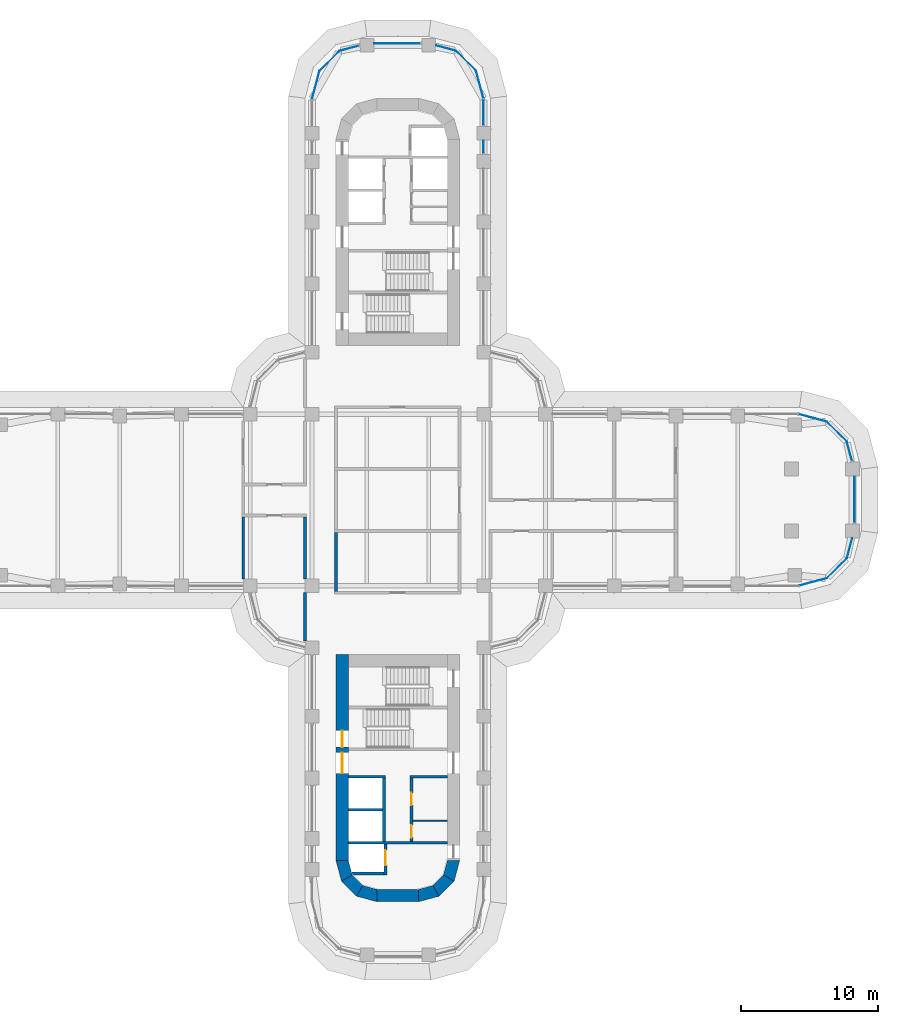
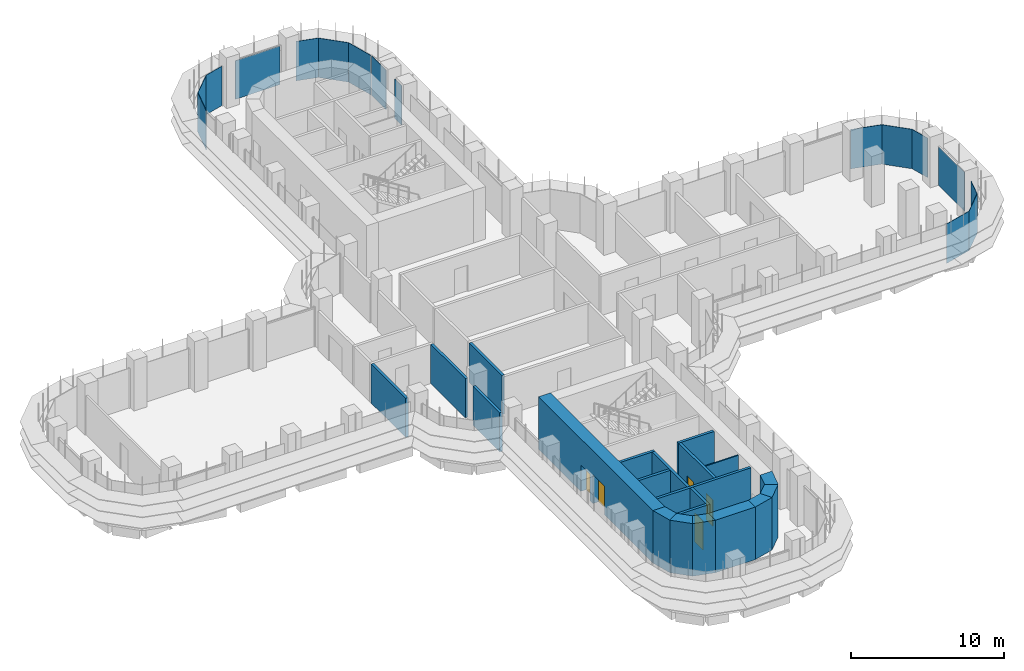
# One storey, part 16 of 23: 21 walls, 16 plates, 5 doors, 5 openings, 15 elements without a shape of their own.
"""IFC4 building model written with IfcOpenShell, lengths in metres."""

from ifc_helpers import new_model, si_unit, direction, frame, frame_2d, origin, place, context, subcontext, project, spatial, polyline, rectangle, outline, extrude, source, transform, mapped, material, layer, layer_set, type_object, element, fill, aggregate, save


model = new_model("IFC4")

# Units and contexts
model_context = context("Model", 3, precision=1e-05, world=origin(), true_north=direction((0.0, 1.0)))
body_context = subcontext(model_context, "Body", "Model", "MODEL_VIEW")
ifc_project = project(units=[si_unit("LENGTHUNIT", "METRE"), si_unit("AREAUNIT", "SQUARE_METRE"), si_unit("VOLUMEUNIT", "CUBIC_METRE"), si_unit("PLANEANGLEUNIT", "RADIAN"), si_unit("MASSUNIT", "GRAM", prefix="KILO")], contexts=[model_context])

# Site, building, storey
site_placement = place(None, origin())
site = spatial("IfcSite", under=ifc_project, at=site_placement, CompositionType="ELEMENT")
building_placement = place(site_placement, origin())
building = spatial("IfcBuilding", under=site, at=building_placement, Name="Zarbagh Exchange Tower", CompositionType="ELEMENT")
storey_placement = place(building_placement, frame((0.0, 0.0, 73.199951171875)))
storey = spatial("IfcBuildingStorey", under=building, at=storey_placement, Name="L16", CompositionType="ELEMENT", Elevation=73.199951171875)

# Curtain wall, plate
ifc_material_1 = material(Name="Anodised aluminium frame and glazing", Category="aluminium")
curtain_wall_type = type_object("IfcCurtainWallType", Name="CWA Ribbon glazing, lower zones", PredefinedType="NOTDEFINED", material=ifc_material_1)
curtain_wall_1_placement = place(storey_placement, origin())
curtain_wall_1 = element("IfcCurtainWall", 1, at=curtain_wall_1_placement, inside=storey, type_object=curtain_wall_type, Name="CWA13 curtain wall", PredefinedType="NOTDEFINED")
ifc_material_2 = material(Name="Low-e double glazed unit, 6+12+6 mm")
ifc_layer_1 = layer(ifc_material_2, 0.028076171875)
ifc_layer_set_1 = layer_set([ifc_layer_1], Name="PAA Glazing panel, Low-e double glazed unit, 6+12+6 mm")
plate_type = type_object("IfcPlateType", Name="PAA Glazing panel, Low-e double glazed unit, 6+12+6 mm", PredefinedType="CURTAIN_PANEL", material=ifc_layer_set_1)
shared_shape_1 = source(origin(), body_context, "Body", "SweptSolid", [
    extrude(outline(polyline([(0.0, -0.013916015625), (1.4423828125, -0.013916015625), (1.4423828125, 0.013916015625), (0.0, 0.013916015625), (0.0, -0.013916015625)])), origin(), (0.0, 0.0, 1.0), 3.14990234375),
])
placement = place(storey_placement, origin())
plate_1 = element("IfcPlate", 2, at=placement, type_object=plate_type, Name="CWA13 glazing panel 1.1", PredefinedType="CURTAIN_PANEL", context=body_context, shape_type="MappedRepresentation", body=[
    mapped(shared_shape_1, transform((33.072021484375, 2.847900390625, 0.0), x_axis=(-0.258824779902, 0.965924289636, 0.0), y_axis=(-0.965924289636, -0.258824779902, 0.0), z_axis=(0.0, 0.0, 1.0))),
])
aggregate(curtain_wall_1, [plate_1])

curtain_wall_2_placement = place(storey_placement, origin())
curtain_wall_2 = element("IfcCurtainWall", 3, at=curtain_wall_2_placement, inside=storey, type_object=curtain_wall_type, Name="CWA25 curtain wall", PredefinedType="NOTDEFINED")
plate_2 = element("IfcPlate", 4, at=placement, type_object=plate_type, Name="CWA25 glazing panel 1.1", PredefinedType="CURTAIN_PANEL", context=body_context, shape_type="MappedRepresentation", body=[
    mapped(shared_shape_1, transform((-2.847900390625, 33.072021484375, 0.0), x_axis=(-0.965924289636, -0.258824779902, 0.0), y_axis=(0.258824779902, -0.965924289636, 0.0), z_axis=(0.0, 0.0, 1.0))),
])
aggregate(curtain_wall_2, [plate_2])

curtain_wall_3_placement = place(storey_placement, origin())
curtain_wall_3 = element("IfcCurtainWall", 5, at=curtain_wall_3_placement, inside=storey, type_object=curtain_wall_type, Name="CWA10 curtain wall", PredefinedType="NOTDEFINED")
shared_shape_2 = source(origin(), body_context, "Body", "SweptSolid", [
    extrude(outline(polyline([(0.0, -0.013916015625), (2.061279296875, -0.013916015625), (2.061279296875, 0.013916015625), (0.0, 0.013916015625), (0.0, -0.013916015625)])), origin(), (0.0, 0.0, 1.0), 3.14990234375),
])
plate_3 = element("IfcPlate", 6, at=placement, type_object=plate_type, Name="CWA10 glazing panel 1.1", PredefinedType="CURTAIN_PANEL", context=body_context, shape_type="MappedRepresentation", body=[
    mapped(shared_shape_2, transform((31.2412109375, -5.69873046875, 0.0), x_axis=(0.707106781187, 0.707106781187, 0.0), y_axis=(-0.707106781187, 0.707106781187, 0.0), z_axis=(0.0, 0.0, 1.0))),
])
aggregate(curtain_wall_3, [plate_3])

curtain_wall_4_placement = place(storey_placement, origin())
curtain_wall_4 = element("IfcCurtainWall", 7, at=curtain_wall_4_placement, inside=storey, type_object=curtain_wall_type, Name="CWA14 curtain wall", PredefinedType="NOTDEFINED")
plate_4 = element("IfcPlate", 8, at=placement, type_object=plate_type, Name="CWA14 glazing panel 1.1", PredefinedType="CURTAIN_PANEL", context=body_context, shape_type="MappedRepresentation", body=[
    mapped(shared_shape_2, transform((32.69873046875, 4.2412109375, 0.0), x_axis=(-0.707106781187, 0.707106781187, 0.0), y_axis=(-0.707106781187, -0.707106781187, 0.0), z_axis=(0.0, 0.0, 1.0))),
])
aggregate(curtain_wall_4, [plate_4])

curtain_wall_5_placement = place(storey_placement, origin())
curtain_wall_5 = element("IfcCurtainWall", 9, at=curtain_wall_5_placement, inside=storey, type_object=curtain_wall_type, Name="CWA22 curtain wall", PredefinedType="NOTDEFINED")
plate_5 = element("IfcPlate", 10, at=placement, type_object=plate_type, Name="CWA22 glazing panel 1.1", PredefinedType="CURTAIN_PANEL", context=body_context, shape_type="MappedRepresentation", body=[
    mapped(shared_shape_2, transform((5.69873046875, 31.2412109375, 0.0), x_axis=(-0.707106781187, 0.707106781187, 0.0), y_axis=(-0.707106781187, -0.707106781187, 0.0), z_axis=(0.0, 0.0, 1.0))),
])
aggregate(curtain_wall_5, [plate_5])

curtain_wall_6_placement = place(storey_placement, origin())
curtain_wall_6 = element("IfcCurtainWall", 11, at=curtain_wall_6_placement, inside=storey, type_object=curtain_wall_type, Name="CWA26 curtain wall", PredefinedType="NOTDEFINED")
plate_6 = element("IfcPlate", 12, at=placement, type_object=plate_type, Name="CWA26 glazing panel 1.1", PredefinedType="CURTAIN_PANEL", context=body_context, shape_type="MappedRepresentation", body=[
    mapped(shared_shape_2, transform((-4.2412109375, 32.69873046875, 0.0), x_axis=(-0.707106781187, -0.707106781187, 0.0), y_axis=(0.707106781187, -0.707106781187, 0.0), z_axis=(0.0, 0.0, 1.0))),
])
aggregate(curtain_wall_6, [plate_6])

curtain_wall_7_placement = place(storey_placement, origin())
curtain_wall_7 = element("IfcCurtainWall", 13, at=curtain_wall_7_placement, inside=storey, type_object=curtain_wall_type, Name="CWA15 curtain wall", PredefinedType="NOTDEFINED")
shared_shape_3 = source(origin(), body_context, "Body", "SweptSolid", [
    extrude(outline(polyline([(0.0, -0.013916015625), (2.129638671875, -0.013916015625), (2.129638671875, 0.013916015625), (0.0, 0.013916015625), (0.0, -0.013916015625)])), origin(), (0.0, 0.0, 1.0), 3.14990234375),
])
plate_7 = element("IfcPlate", 14, at=placement, type_object=plate_type, Name="CWA15 glazing panel 1.1", PredefinedType="CURTAIN_PANEL", context=body_context, shape_type="MappedRepresentation", body=[
    mapped(shared_shape_3, transform((31.2412109375, 5.69873046875, 0.0), x_axis=(-0.965924289636, 0.258824779902, 0.0), y_axis=(-0.258824779902, -0.965924289636, 0.0), z_axis=(0.0, 0.0, 1.0))),
])
aggregate(curtain_wall_7, [plate_7])

curtain_wall_8_placement = place(storey_placement, origin())
curtain_wall_8 = element("IfcCurtainWall", 15, at=curtain_wall_8_placement, inside=storey, type_object=curtain_wall_type, Name="CWA27 curtain wall", PredefinedType="NOTDEFINED")
plate_8 = element("IfcPlate", 16, at=placement, type_object=plate_type, Name="CWA27 glazing panel 1.1", PredefinedType="CURTAIN_PANEL", context=body_context, shape_type="MappedRepresentation", body=[
    mapped(shared_shape_3, transform((-5.69873046875, 31.2412109375, 0.0), x_axis=(-0.258824779902, -0.965924289636, 0.0), y_axis=(0.965924289636, -0.258824779902, 0.0), z_axis=(0.0, 0.0, 1.0))),
])
aggregate(curtain_wall_8, [plate_8])

curtain_wall_9_placement = place(storey_placement, origin())
curtain_wall_9 = element("IfcCurtainWall", 17, at=curtain_wall_9_placement, inside=storey, type_object=curtain_wall_type, Name="CWA09 curtain wall", PredefinedType="NOTDEFINED")
shared_shape_4 = source(origin(), body_context, "Body", "SweptSolid", [
    extrude(outline(polyline([(0.0, -0.013916015625), (2.069580078125, -0.013916015625), (2.069580078125, 0.013916015625), (0.0, 0.013916015625), (0.0, -0.013916015625)])), origin(), (0.0, 0.0, 1.0), 3.14990234375),
])
plate_9 = element("IfcPlate", 18, at=placement, type_object=plate_type, Name="CWA09 glazing panel 1.1", PredefinedType="CURTAIN_PANEL", context=body_context, shape_type="MappedRepresentation", body=[
    mapped(shared_shape_4, transform((29.2421875, -6.234375, 0.0), x_axis=(0.965924289636, 0.258824779902, 0.0), y_axis=(-0.258824779902, 0.965924289636, 0.0), z_axis=(0.0, 0.0, 1.0))),
])
aggregate(curtain_wall_9, [plate_9])

curtain_wall_10_placement = place(storey_placement, origin())
curtain_wall_10 = element("IfcCurtainWall", 19, at=curtain_wall_10_placement, inside=storey, type_object=curtain_wall_type, Name="CWA21 curtain wall", PredefinedType="NOTDEFINED")
plate_10 = element("IfcPlate", 20, at=placement, type_object=plate_type, Name="CWA21 glazing panel 1.1", PredefinedType="CURTAIN_PANEL", context=body_context, shape_type="MappedRepresentation", body=[
    mapped(shared_shape_4, transform((6.234375, 29.2421875, 0.0), x_axis=(-0.258824779902, 0.965924289636, 0.0), y_axis=(-0.965924289636, -0.258824779902, 0.0), z_axis=(0.0, 0.0, 1.0))),
])
aggregate(curtain_wall_10, [plate_10])

curtain_wall_11_placement = place(storey_placement, origin())
curtain_wall_11 = element("IfcCurtainWall", 21, at=curtain_wall_11_placement, inside=storey, type_object=curtain_wall_type, Name="CWA11 curtain wall", PredefinedType="NOTDEFINED")
shared_shape_5 = source(origin(), body_context, "Body", "SweptSolid", [
    extrude(outline(polyline([(0.0, -0.013916015625), (1.50244140625, -0.013916015625), (1.50244140625, 0.013916015625), (0.0, 0.013916015625), (0.0, -0.013916015625)])), origin(), (0.0, 0.0, 1.0), 3.14990234375),
])
plate_11 = element("IfcPlate", 22, at=placement, type_object=plate_type, Name="CWA11 glazing panel 1.1", PredefinedType="CURTAIN_PANEL", context=body_context, shape_type="MappedRepresentation", body=[
    mapped(shared_shape_5, transform((32.69873046875, -4.2412109375, 0.0), x_axis=(0.258824779902, 0.965924289636, 0.0), y_axis=(-0.965924289636, 0.258824779902, 0.0), z_axis=(0.0, 0.0, 1.0))),
])
aggregate(curtain_wall_11, [plate_11])

curtain_wall_12_placement = place(storey_placement, origin())
curtain_wall_12 = element("IfcCurtainWall", 23, at=curtain_wall_12_placement, inside=storey, type_object=curtain_wall_type, Name="CWA23 curtain wall", PredefinedType="NOTDEFINED")
plate_12 = element("IfcPlate", 24, at=placement, type_object=plate_type, Name="CWA23 glazing panel 1.1", PredefinedType="CURTAIN_PANEL", context=body_context, shape_type="MappedRepresentation", body=[
    mapped(shared_shape_5, transform((4.2412109375, 32.69873046875, 0.0), x_axis=(-0.965924289636, 0.258824779902, 0.0), y_axis=(-0.258824779902, -0.965924289636, 0.0), z_axis=(0.0, 0.0, 1.0))),
])
aggregate(curtain_wall_12, [plate_12])

curtain_wall_13_placement = place(storey_placement, origin())
curtain_wall_13 = element("IfcCurtainWall", 25, at=curtain_wall_13_placement, inside=storey, type_object=curtain_wall_type, Name="CWA12 curtain wall", PredefinedType="NOTDEFINED")
shared_shape_6 = source(origin(), body_context, "Body", "SweptSolid", [
    extrude(outline(polyline([(0.0, -0.013916015625), (3.360107421875, -0.013916015625), (3.360107421875, 0.013916015625), (0.0, 0.013916015625), (0.0, -0.013916015625)])), origin(), (0.0, 0.0, 1.0), 3.090087890625),
])
plate_13 = element("IfcPlate", 26, at=placement, type_object=plate_type, Name="CWA12 glazing panel 1.1", PredefinedType="CURTAIN_PANEL", context=body_context, shape_type="MappedRepresentation", body=[
    mapped(shared_shape_6, transform((33.25, -1.64990234375, 0.0), x_axis=(0.0, 1.0, 0.0), y_axis=(-1.0, 0.0, 0.0), z_axis=(0.0, 0.0, 1.0))),
])
aggregate(curtain_wall_13, [plate_13])

curtain_wall_14_placement = place(storey_placement, origin())
curtain_wall_14 = element("IfcCurtainWall", 27, at=curtain_wall_14_placement, inside=storey, type_object=curtain_wall_type, Name="CWA24 curtain wall", PredefinedType="NOTDEFINED")
plate_14 = element("IfcPlate", 28, at=placement, type_object=plate_type, Name="CWA24 glazing panel 1.1", PredefinedType="CURTAIN_PANEL", context=body_context, shape_type="MappedRepresentation", body=[
    mapped(shared_shape_6, transform((1.64990234375, 33.25, 0.0), x_axis=(-1.0, 0.0, 0.0), y_axis=(0.0, -1.0, 0.0), z_axis=(0.0, 0.0, 1.0))),
])
aggregate(curtain_wall_14, [plate_14])

# Curtain wall, plates
curtain_wall_15_placement = place(storey_placement, origin())
curtain_wall_15 = element("IfcCurtainWall", 29, at=curtain_wall_15_placement, inside=storey, type_object=curtain_wall_type, Name="CWA20 curtain wall", PredefinedType="NOTDEFINED")
shared_shape_7 = source(origin(), body_context, "Body", "SweptSolid", [
    extrude(outline(polyline([(0.0, -0.013916015625), (0.909912109375, -0.013916015625), (0.909912109375, 0.013916015625), (0.0, 0.013916015625), (0.0, -0.013916015625)])), origin(), (0.0, 0.0, 1.0), 3.14990234375),
])
plate_15 = element("IfcPlate", 30, at=placement, type_object=plate_type, Name="CWA20 glazing panel 4.1", PredefinedType="CURTAIN_PANEL", context=body_context, shape_type="MappedRepresentation", body=[
    mapped(shared_shape_7, transform((6.25, 25.25, 0.0), x_axis=(0.0, 1.0, 0.0), y_axis=(-1.0, 0.0, 0.0), z_axis=(0.0, 0.0, 1.0))),
])
shared_shape_8 = source(origin(), body_context, "Body", "SweptSolid", [
    extrude(outline(polyline([(0.0, -0.013916015625), (1.884033203125, -0.013916015625), (1.884033203125, 0.013916015625), (0.0, 0.013916015625), (0.0, -0.013916015625)])), origin(), (0.0, 0.0, 1.0), 3.14990234375),
])
plate_16 = element("IfcPlate", 31, at=placement, type_object=plate_type, Name="CWA20 glazing panel 5.1", PredefinedType="CURTAIN_PANEL", context=body_context, shape_type="MappedRepresentation", body=[
    mapped(shared_shape_8, transform((6.25, 27.300048828125, 0.0), x_axis=(0.0, 1.0, 0.0), y_axis=(-1.0, 0.0, 0.0), z_axis=(0.0, 0.0, 1.0))),
])
aggregate(curtain_wall_15, [plate_15, plate_16])

# Walls
ifc_material_3 = material(Name="Dense blockwork", Category="masonry")
ifc_layer_2 = layer(ifc_material_3, 0.10009765625)
ifc_layer_set_2 = layer_set([ifc_layer_2], Name="Core partition 100 mm blockwork")
wall_type_1 = type_object("IfcWallType", Name="Core partition 100 mm blockwork", PredefinedType="PARTITIONING", material=ifc_layer_set_2)
wall_1_placement = place(storey_placement, frame((3.60009765625, -23.35009765625, 0.0), z_axis=(0.0, 0.0, 1.0), x_axis=(-1.0, 0.0, 0.0)))
element("IfcWall", 32, at=wall_1_placement, inside=storey, type_object=wall_type_1, Name="South core partition wall CUT-W-500", PredefinedType="PARTITIONING", context=body_context, shape_type="SweptSolid", body=[
    extrude(rectangle(XDim=2.5, YDim=0.10009765625, at=frame_2d((1.25, 0.0))), origin(), (0.0, 0.0, 1.0), 4.050048828125),
])
ifc_material_4 = material(Name="Fire-rated plasterboard partition")
ifc_layer_3 = layer(ifc_material_4, 0.199951171875)
ifc_layer_set_3 = layer_set([ifc_layer_3], Name="RATED PARTITION 200")
wall_type_2 = type_object("IfcWallType", Name="RATED PARTITION 200", PredefinedType="PARTITIONING", material=ifc_layer_set_3)
wall_2_placement = place(storey_placement, frame((-4.5, -6.64990234375, 0.0), z_axis=(0.0, 0.0, 1.0), x_axis=(0.0, 1.0, 0.0)))
element("IfcWall", 33, at=wall_2_placement, inside=storey, type_object=wall_type_2, Name="Partition W-503", PredefinedType="PARTITIONING", context=body_context, shape_type="SweptSolid", body=[
    extrude(rectangle(XDim=4.2998046875, YDim=0.199951171875, at=frame_2d((2.14990234375, 0.0))), origin(), (0.0, 0.0, 1.0), 3.130615234375),
])
wall_3_placement = place(storey_placement, frame((-6.75, -10.25, 0.0), z_axis=(0.0, 0.0, 1.0), x_axis=(0.0, 1.0, 0.0)))
element("IfcWall", 34, at=wall_3_placement, inside=storey, type_object=wall_type_2, Name="Partition W-506", PredefinedType="PARTITIONING", context=body_context, shape_type="SweptSolid", body=[
    extrude(rectangle(XDim=3.5, YDim=0.199951171875, at=frame_2d((1.75, 0.0))), origin(), (0.0, 0.0, 1.0), 3.130615234375),
])
for number, where, z_axis, x_axis, name in (
    (35, (-6.75, -5.75, 0.0), (0.0, 0.0, 1.0), (0.0, 1.0, 0.0), "Partition W-507"),
    (36, (-11.25, -5.75, 0.0), (0.0, 0.0, 1.0), (0.0, 1.0, 0.0), "Partition W-534"),
):
    element("IfcWall", number, at=place(storey_placement, frame(where, z_axis=z_axis, x_axis=x_axis)), inside=storey, type_object=wall_type_2, Name=name, PredefinedType="PARTITIONING", context=body_context, shape_type="SweptSolid", body=[
        extrude(rectangle(XDim=4.52490234375, YDim=0.199951171875, at=frame_2d((2.262451171875, 0.0))), origin(), (0.0, 0.0, 1.0), 3.130615234375),
    ])
ifc_material_5 = material(Name="Concrete C60/75", Category="concrete")
ifc_layer_4 = layer(ifc_material_5, 0.89990234375)
ifc_layer_set_4 = layer_set([ifc_layer_4], Name="RC core corner wall 900 C60/75")
wall_type_3 = type_object("IfcWallType", Name="RC core corner wall 900 C60/75", PredefinedType="SHEAR", material=ifc_layer_set_4)
wall_4_placement = place(storey_placement, origin())
element("IfcWall", 37, at=wall_4_placement, inside=storey, type_object=wall_type_3, Name="CW2 core S corner W", PredefinedType="SHEAR", context=body_context, shape_type="SweptSolid", body=[
    extrude(outline(polyline([(-4.5, -26.25), (-4.09814453125, -27.75), (-3.318603515625, -27.300048828125), (-3.60009765625, -26.25), (-4.5, -26.25)])), origin(), (0.0, 0.0, 1.0), 4.199951171875),
])
wall_5_placement = place(storey_placement, origin())
element("IfcWall", 38, at=wall_5_placement, inside=storey, type_object=wall_type_3, Name="CW2 core S corner W", PredefinedType="SHEAR", context=body_context, shape_type="SweptSolid", body=[
    extrude(outline(polyline([(-4.09814453125, -27.75), (-3.0, -28.84814453125), (-2.550048828125, -28.068603515625), (-3.318603515625, -27.300048828125), (-4.09814453125, -27.75)])), origin(), (0.0, 0.0, 1.0), 4.199951171875),
])
wall_6_placement = place(storey_placement, origin())
element("IfcWall", 39, at=wall_6_placement, inside=storey, type_object=wall_type_3, Name="CW2 core S corner W", PredefinedType="SHEAR", context=body_context, shape_type="SweptSolid", body=[
    extrude(outline(polyline([(-3.0, -28.84814453125), (-1.5, -29.25), (-1.5, -28.35009765625), (-2.550048828125, -28.068603515625), (-3.0, -28.84814453125)])), origin(), (0.0, 0.0, 1.0), 4.199951171875),
])
wall_7_placement = place(storey_placement, origin())
element("IfcWall", 40, at=wall_7_placement, inside=storey, type_object=wall_type_3, Name="CW2 core S corner E", PredefinedType="SHEAR", context=body_context, shape_type="SweptSolid", body=[
    extrude(outline(polyline([(4.5, -26.25), (4.09814453125, -27.75), (3.318603515625, -27.300048828125), (3.60009765625, -26.25), (4.5, -26.25)])), origin(), (0.0, 0.0, 1.0), 4.199951171875),
])
wall_8_placement = place(storey_placement, origin())
element("IfcWall", 41, at=wall_8_placement, inside=storey, type_object=wall_type_3, Name="CW2 core S corner E", PredefinedType="SHEAR", context=body_context, shape_type="SweptSolid", body=[
    extrude(outline(polyline([(4.09814453125, -27.75), (3.0, -28.84814453125), (2.550048828125, -28.068603515625), (3.318603515625, -27.300048828125), (4.09814453125, -27.75)])), origin(), (0.0, 0.0, 1.0), 4.199951171875),
])
wall_9_placement = place(storey_placement, origin())
element("IfcWall", 42, at=wall_9_placement, inside=storey, type_object=wall_type_3, Name="CW2 core S corner E", PredefinedType="SHEAR", context=body_context, shape_type="SweptSolid", body=[
    extrude(outline(polyline([(3.0, -28.84814453125), (1.5, -29.25), (1.5, -28.35009765625), (2.550048828125, -28.068603515625), (3.0, -28.84814453125)])), origin(), (0.0, 0.0, 1.0), 4.199951171875),
])

# Wall, openings, doors
ifc_layer_5 = layer(ifc_material_5, 0.89990234375)
ifc_layer_set_5 = layer_set([ifc_layer_5], Name="RC core wall 900 C60/75")
wall_type_4 = type_object("IfcWallType", Name="RC core wall 900 C60/75", PredefinedType="SHEAR", material=ifc_layer_set_5)
wall_10_placement = place(storey_placement, frame((-4.050048828125, -11.25, 0.0), z_axis=(0.0, 0.0, 1.0), x_axis=(0.0, -1.0, 0.0)))
wall_10 = element("IfcWall", 43, at=wall_10_placement, inside=storey, type_object=wall_type_4, Name="CW1 core S W", PredefinedType="SHEAR", context=body_context, shape_type="SweptSolid", body=[
    extrude(rectangle(XDim=15.0, YDim=0.89990234375, at=frame_2d((7.5, 0.0))), origin(), (0.0, 0.0, 1.0), 4.199951171875),
])
opening_1_placement = place(wall_10_placement, frame((7.14990234375, 0.0, 0.0)))
opening_1 = element("IfcOpeningElement", 44, at=opening_1_placement, cuts=wall_10, Name="Opening CD1-1500", PredefinedType="OPENING", context=body_context, shape_type="SweptSolid", body=[
    extrude(rectangle(XDim=1.5, YDim=2.300048828125, at=frame_2d((0.75, 1.14990234375))), frame((0.0, 0.4599609375, 0.0), z_axis=(0.0, -1.0, 0.0), x_axis=(1.0, 0.0, 0.0)), (0.0, 0.0, 1.0), 0.919921875),
])
opening_2_placement = place(wall_10_placement, frame((5.550048828125, 0.0, 0.0)))
opening_2 = element("IfcOpeningElement", 45, at=opening_2_placement, cuts=wall_10, Name="Opening SD1-1200", PredefinedType="OPENING", context=body_context, shape_type="SweptSolid", body=[
    extrude(rectangle(XDim=1.199951171875, YDim=2.10009765625, at=frame_2d((0.60009765625, 1.050048828125))), frame((0.0, 0.4599609375, 0.0), z_axis=(0.0, -1.0, 0.0), x_axis=(1.0, 0.0, 0.0)), (0.0, 0.0, 1.0), 0.919921875),
])
ifc_material_6 = material(Name="Steel", Category="steel")
door_type_1 = type_object("IfcDoorType", Name="Exit stair door 1200 x 2100", OperationType="NOTDEFINED", PredefinedType="DOOR", material=ifc_material_6)
door_1_placement = place(opening_2_placement, origin())
door_1 = element("IfcDoor", 46, at=door_1_placement, inside=storey, type_object=door_type_1, Name="South core stair door ST1", OperationType="SINGLE_SWING_LEFT", OverallHeight=2.10009765625, OverallWidth=1.199951171875, PredefinedType="DOOR", context=body_context, shape_type="SweptSolid", body=[
    extrude(rectangle(XDim=1.199951171875, YDim=2.10009765625, at=frame_2d((0.60009765625, 1.050048828125))), frame((0.0, 0.02490234375, 0.0), z_axis=(0.0, -1.0, 0.0), x_axis=(1.0, 0.0, 0.0)), (0.0, 0.0, 1.0), 0.050048828125),
])
fill(opening_2, door_1)
door_type_2 = type_object("IfcDoorType", Name="Lift lobby double door 1500 x 2300", OperationType="NOTDEFINED", PredefinedType="DOOR", material=ifc_material_6)
door_2_placement = place(opening_1_placement, origin())
door_2 = element("IfcDoor", 47, at=door_2_placement, inside=storey, type_object=door_type_2, Name="South core lift lobby door LOBBY-E", OperationType="DOUBLE_DOOR_SINGLE_SWING", OverallHeight=2.300048828125, OverallWidth=1.5, PredefinedType="DOOR", context=body_context, shape_type="SweptSolid", body=[
    extrude(rectangle(XDim=1.5, YDim=2.300048828125, at=frame_2d((0.75, 1.14990234375))), frame((0.0, 0.02490234375, 0.0), z_axis=(0.0, -1.0, 0.0), x_axis=(1.0, 0.0, 0.0)), (0.0, 0.0, 1.0), 0.050048828125),
])
fill(opening_1, door_2)

# Walls
wall_11_placement = place(storey_placement, frame((-1.5, -28.800048828125, 0.0), z_axis=(0.0, 0.0, 1.0), x_axis=(1.0, 0.0, 0.0)))
element("IfcWall", 48, at=wall_11_placement, inside=storey, type_object=wall_type_4, Name="CW1 core S outer end", PredefinedType="SHEAR", context=body_context, shape_type="SweptSolid", body=[
    extrude(rectangle(XDim=3.0, YDim=0.89990234375, at=frame_2d((1.5, 0.0))), origin(), (0.0, 0.0, 1.0), 4.199951171875),
])
ifc_layer_6 = layer(ifc_material_3, 0.199951171875)
ifc_layer_set_6 = layer_set([ifc_layer_6], Name="Shaft wall 200 mm blockwork")
wall_type_5 = type_object("IfcWallType", Name="Shaft wall 200 mm blockwork", PredefinedType="PARTITIONING", material=ifc_layer_set_6)
wall_12_placement = place(storey_placement, frame((3.60009765625, -20.14990234375, 0.0), z_axis=(0.0, 0.0, 1.0), x_axis=(-1.0, 0.0, 0.0)))
element("IfcWall", 49, at=wall_12_placement, inside=storey, type_object=wall_type_5, Name="South core shaft wall AB-W", PredefinedType="PARTITIONING", context=body_context, shape_type="SweptSolid", body=[
    extrude(rectangle(XDim=2.7001953125, YDim=0.199951171875, at=frame_2d((1.35009765625, 0.0))), origin(), (0.0, 0.0, 1.0), 4.050048828125),
])

# Wall, openings, doors
wall_13_placement = place(storey_placement, frame((1.0, -24.85009765625, 0.0), z_axis=(0.0, 0.0, 1.0), x_axis=(0.0, 1.0, 0.0)))
wall_13 = element("IfcWall", 50, at=wall_13_placement, inside=storey, type_object=wall_type_5, Name="South core shaft wall LW-W", PredefinedType="PARTITIONING", context=body_context, shape_type="SweptSolid", body=[
    extrude(rectangle(XDim=4.60009765625, YDim=0.199951171875, at=frame_2d((2.300048828125, 0.0))), origin(), (0.0, 0.0, 1.0), 4.050048828125),
])
opening_3_placement = place(wall_13_placement, frame((0.27490234375, 0.0, 0.0)))
opening_3 = element("IfcOpeningElement", 51, at=opening_3_placement, cuts=wall_13, Name="Opening CD3-900", PredefinedType="OPENING", context=body_context, shape_type="SweptSolid", body=[
    extrude(rectangle(XDim=0.89990234375, YDim=2.10009765625, at=frame_2d((0.449951171875, 1.050048828125))), frame((0.0, 0.10986328125, 0.0), z_axis=(0.0, -1.0, 0.0), x_axis=(1.0, 0.0, 0.0)), (0.0, 0.0, 1.0), 0.219970703125),
])
opening_4_placement = place(wall_13_placement, frame((2.625, 0.0, 0.0)))
opening_4 = element("IfcOpeningElement", 52, at=opening_4_placement, cuts=wall_13, Name="Opening CD3-900", PredefinedType="OPENING", context=body_context, shape_type="SweptSolid", body=[
    extrude(rectangle(XDim=0.89990234375, YDim=2.10009765625, at=frame_2d((0.449951171875, 1.050048828125))), frame((0.0, 0.10986328125, 0.0), z_axis=(0.0, -1.0, 0.0), x_axis=(1.0, 0.0, 0.0)), (0.0, 0.0, 1.0), 0.219970703125),
])
door_type_3 = type_object("IfcDoorType", Name="Core room door 900 x 2100", OperationType="NOTDEFINED", PredefinedType="DOOR", material=ifc_material_6)
door_3_placement = place(opening_3_placement, origin())
door_3 = element("IfcDoor", 53, at=door_3_placement, inside=storey, type_object=door_type_3, Name="South core Cleaner's store door RD-W-0", OperationType="SINGLE_SWING_LEFT", OverallHeight=2.10009765625, OverallWidth=0.89990234375, PredefinedType="DOOR", context=body_context, shape_type="SweptSolid", body=[
    extrude(rectangle(XDim=0.89990234375, YDim=2.10009765625, at=frame_2d((0.449951171875, 1.050048828125))), frame((0.0, 0.02490234375, 0.0), z_axis=(0.0, -1.0, 0.0), x_axis=(1.0, 0.0, 0.0)), (0.0, 0.0, 1.0), 0.050048828125),
])
fill(opening_3, door_3)
door_4_placement = place(opening_4_placement, origin())
door_4 = element("IfcDoor", 54, at=door_4_placement, inside=storey, type_object=door_type_3, Name="South core Accessible WC door RD-W-1", OperationType="SINGLE_SWING_LEFT", OverallHeight=2.10009765625, OverallWidth=0.89990234375, PredefinedType="DOOR", context=body_context, shape_type="SweptSolid", body=[
    extrude(rectangle(XDim=0.89990234375, YDim=2.10009765625, at=frame_2d((0.449951171875, 1.050048828125))), frame((0.0, 0.02490234375, 0.0), z_axis=(0.0, -1.0, 0.0), x_axis=(1.0, 0.0, 0.0)), (0.0, 0.0, 1.0), 0.050048828125),
])
fill(opening_4, door_4)

# Walls
wall_14_placement = place(storey_placement, frame((-0.89990234375, -20.14990234375, 0.0), z_axis=(0.0, 0.0, 1.0), x_axis=(-1.0, 0.0, 0.0)))
element("IfcWall", 55, at=wall_14_placement, inside=storey, type_object=wall_type_5, Name="South core shaft wall AB-E", PredefinedType="PARTITIONING", context=body_context, shape_type="SweptSolid", body=[
    extrude(rectangle(XDim=2.7001953125, YDim=0.199951171875, at=frame_2d((1.35009765625, 0.0))), origin(), (0.0, 0.0, 1.0), 4.050048828125),
])
wall_15_placement = place(storey_placement, frame((-1.0, -24.85009765625, 0.0), z_axis=(0.0, 0.0, 1.0), x_axis=(0.0, 1.0, 0.0)))
element("IfcWall", 56, at=wall_15_placement, inside=storey, type_object=wall_type_5, Name="South core shaft wall LW-E", PredefinedType="PARTITIONING", context=body_context, shape_type="SweptSolid", body=[
    extrude(rectangle(XDim=4.60009765625, YDim=0.199951171875, at=frame_2d((2.300048828125, 0.0))), origin(), (0.0, 0.0, 1.0), 4.050048828125),
])
wall_16_placement = place(storey_placement, frame((-1.10009765625, -22.550048828125, 0.0), z_axis=(0.0, 0.0, 1.0), x_axis=(-1.0, 0.0, 0.0)))
element("IfcWall", 57, at=wall_16_placement, inside=storey, type_object=wall_type_5, Name="South core shaft wall TR-E", PredefinedType="PARTITIONING", context=body_context, shape_type="SweptSolid", body=[
    extrude(rectangle(XDim=2.5, YDim=0.199951171875, at=frame_2d((1.25, 0.0))), origin(), (0.0, 0.0, 1.0), 4.050048828125),
])
ifc_material_7 = material(Name="Concrete C40/50", Category="concrete")
ifc_layer_7 = layer(ifc_material_7, 0.199951171875)
ifc_layer_set_7 = layer_set([ifc_layer_7], Name="Stair enclosure wall 200 mm RC C40/50")
wall_type_6 = type_object("IfcWallType", Name="Stair enclosure wall 200 mm RC C40/50", PredefinedType="SHEAR", material=ifc_layer_set_7)
wall_17_placement = place(storey_placement, frame((3.60009765625, -24.949951171875, 0.0), z_axis=(0.0, 0.0, 1.0), x_axis=(-1.0, 0.0, 0.0)))
element("IfcWall", 58, at=wall_17_placement, inside=storey, type_object=wall_type_6, Name="South core lift shaft wall FFA", PredefinedType="SHEAR", context=body_context, shape_type="SweptSolid", body=[
    extrude(rectangle(XDim=7.2001953125, YDim=0.199951171875, at=frame_2d((3.60009765625, 0.0))), origin(), (0.0, 0.0, 1.0), 4.050048828125),
])

# Wall, opening, door
wall_18_placement = place(storey_placement, frame((-0.89990234375, -27.300048828125, 0.0), z_axis=(0.0, 0.0, 1.0), x_axis=(0.0, 1.0, 0.0)))
wall_18 = element("IfcWall", 59, at=wall_18_placement, inside=storey, type_object=wall_type_6, Name="South core lift shaft wall FFL", PredefinedType="SHEAR", context=body_context, shape_type="SweptSolid", body=[
    extrude(rectangle(XDim=2.25, YDim=0.199951171875, at=frame_2d((1.125, 0.0))), origin(), (0.0, 0.0, 1.0), 4.050048828125),
])
opening_5_placement = place(wall_18_placement, frame((0.699951171875, 0.0, 0.0)))
opening_5 = element("IfcOpeningElement", 60, at=opening_5_placement, cuts=wall_18, Name="Opening LD-1100", PredefinedType="OPENING", context=body_context, shape_type="SweptSolid", body=[
    extrude(rectangle(XDim=1.10009765625, YDim=2.300048828125, at=frame_2d((0.550048828125, 1.14990234375))), frame((0.0, 0.10986328125, 0.0), z_axis=(0.0, -1.0, 0.0), x_axis=(1.0, 0.0, 0.0)), (0.0, 0.0, 1.0), 0.219970703125),
])
ifc_material_8 = material(Name="Stainless steel", Category="steel")
door_type_4 = type_object("IfcDoorType", Name="Lift landing door 1100 x 2300", OperationType="NOTDEFINED", PredefinedType="DOOR", material=ifc_material_8)
door_5_placement = place(opening_5_placement, origin())
door_5 = element("IfcDoor", 61, at=door_5_placement, inside=storey, type_object=door_type_4, Name="South core lift landing door LD-F", OperationType="DOUBLE_DOOR_SLIDING", OverallHeight=2.300048828125, OverallWidth=1.10009765625, PredefinedType="DOOR", context=body_context, shape_type="SweptSolid", body=[
    extrude(rectangle(XDim=1.10009765625, YDim=2.300048828125, at=frame_2d((0.550048828125, 1.14990234375))), frame((0.0, 0.02490234375, 0.0), z_axis=(0.0, -1.0, 0.0), x_axis=(1.0, 0.0, 0.0)), (0.0, 0.0, 1.0), 0.050048828125),
])
fill(opening_5, door_5)

# Wall
wall_19_placement = place(storey_placement, origin())
element("IfcWall", 62, at=wall_19_placement, inside=storey, type_object=wall_type_6, Name="South core lift shaft wall FFX", PredefinedType="SHEAR", context=body_context, shape_type="SweptSolid", body=[
    extrude(outline(polyline([(-1.0, -27.10009765625), (-3.340576171875, -27.10009765625), (-3.291259765625, -27.2841796875), (-3.275390625, -27.300048828125), (-1.0, -27.300048828125), (-1.0, -27.10009765625)])), origin(), (0.0, 0.0, 1.0), 4.050048828125),
])

save(model, "model.ifc")
